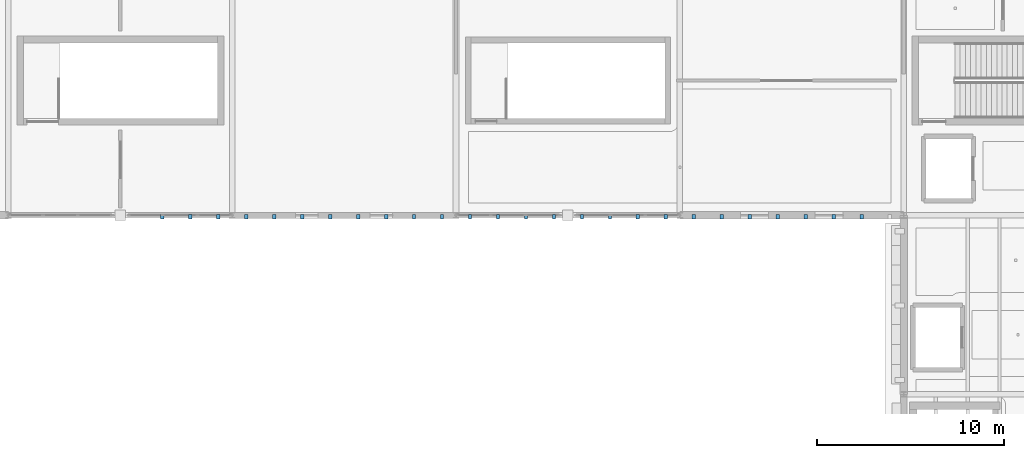
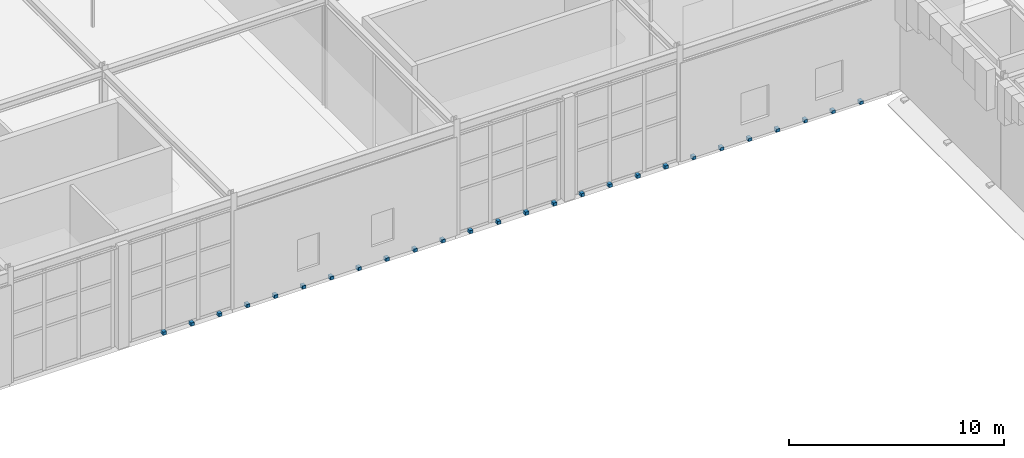
# One storey, part 50 of 62: 26 discrete accessories.
"""IFC4 building model written with IfcOpenShell, lengths in metres."""

import ifcopenshell
import ifcopenshell.guid

model = None  # the IFC model being written
_history = None  # IfcOwnerHistory: only IFC2X3 demands one
_inside = {}  # id of a spatial element -> (the spatial element, [elements in it])
_under = {}  # id of a project, library or spatial element -> (it, [spatial elements below it])
_declared = {}  # id of a project -> (the project, [libraries it declares])
_typed = {}  # id of a type object -> (the type object, [elements of that type])
_made_of = {}  # id of a material, layer set ... -> (it, [elements and type objects made of it])


def new_model(schema):
    """Start an empty IFC model of exactly this schema.

    Asked for "IFC4X3", IfcOpenShell would pick the latest addendum, in which some entities
    have other attributes; the version numbers below select the first issue.
    IFC2X3 requires an IfcOwnerHistory on every rooted entity: one is made here for all.
    """
    global model, _history
    if schema == "IFC4X3":
        model = ifcopenshell.file(schema_version=(4, 3, 0, 0))
    else:
        model = ifcopenshell.file(schema=schema)
    _inside.clear()
    _under.clear()
    _declared.clear()
    _typed.clear()
    _made_of.clear()
    _history = None
    if model.schema == "IFC2X3":
        org = make("IfcOrganization", Name="unknown")
        user = make(
            "IfcPersonAndOrganization",
            ThePerson=make("IfcPerson", FamilyName="unknown"),
            TheOrganization=org,
        )
        app = make(
            "IfcApplication",
            ApplicationDeveloper=org,
            Version="unknown",
            ApplicationFullName="unknown",
            ApplicationIdentifier="unknown",
        )
        _history = make(
            "IfcOwnerHistory",
            OwningUser=user,
            OwningApplication=app,
            ChangeAction="ADDED",
            CreationDate=0,
        )
    return model


def make(cls, **values):
    """One entity of the class cls with the attributes given. An attribute that is None is left unset."""
    return model.create_entity(
        cls, **{name: value for name, value in values.items() if value is not None}
    )


def rooted(cls, **values):
    """An entity with a GlobalId (a new one), such as an element, a storey or a relation."""
    return make(cls, GlobalId=ifcopenshell.guid.new(), OwnerHistory=_history, **values)


def si_unit(unit_type, name, prefix=None):
    """IfcSIUnit, for example si_unit("LENGTHUNIT", "METRE", prefix="MILLI")."""
    return make("IfcSIUnit", UnitType=unit_type, Prefix=prefix, Name=name)


def assignment(units):
    """IfcUnitAssignment: the units of a project."""
    return None if units is None else make("IfcUnitAssignment", Units=units)


def point(xyz):
    """IfcCartesianPoint."""
    return None if xyz is None else make("IfcCartesianPoint", Coordinates=xyz)


def direction(xyz):
    """IfcDirection."""
    return None if xyz is None else make("IfcDirection", DirectionRatios=xyz)


def frame(location, z_axis=None, x_axis=None):
    """IfcAxis2Placement3D, a coordinate frame: its origin and axes. An axis left out is left unset."""
    return make(
        "IfcAxis2Placement3D",
        Location=point(location),
        Axis=direction(z_axis),
        RefDirection=direction(x_axis),
    )


def frame_2d(location, x_axis=None):
    """IfcAxis2Placement2D, a coordinate frame in the plane: its origin and x axis."""
    return make(
        "IfcAxis2Placement2D", Location=point(location), RefDirection=direction(x_axis)
    )


def origin():
    """The frame at (0, 0, 0) with its axes left unset."""
    return frame((0.0, 0.0, 0.0))


def origin_2d():
    """The frame at (0, 0) in the plane with its x axis left unset."""
    return frame_2d((0.0, 0.0))


def place(relative_to, where):
    """IfcLocalPlacement: puts the frame where relative to a parent placement (None: the world)."""
    return make(
        "IfcLocalPlacement", PlacementRelTo=relative_to, RelativePlacement=where
    )


def context(
    kind, dimensions, precision=None, world=None, true_north=None, identifier=None
):
    """IfcGeometricRepresentationContext, for example the 3D "Model" context."""
    return make(
        "IfcGeometricRepresentationContext",
        ContextIdentifier=identifier,
        ContextType=kind,
        CoordinateSpaceDimension=dimensions,
        Precision=precision,
        WorldCoordinateSystem=world,
        TrueNorth=true_north,
    )


def subcontext(parent, identifier, kind, view, scale=None):
    """IfcGeometricRepresentationSubContext, for example "Body" below "Model"."""
    return make(
        "IfcGeometricRepresentationSubContext",
        ContextIdentifier=identifier,
        ContextType=kind,
        ParentContext=parent,
        TargetScale=scale,
        TargetView=view,
    )


def project(units=None, contexts=None):
    """IfcProject with its units and contexts."""
    return rooted(
        "IfcProject",
        Name="project",
        RepresentationContexts=contexts,
        UnitsInContext=assignment(units),
    )


def spatial(cls, under=None, at=None, **own):
    """A site, building, storey or space (cls), placed at a placement, below another one or the project."""
    s = rooted(cls, ObjectPlacement=at, **own)
    if under is not None:
        _under.setdefault(under.id(), (under, []))[1].append(s)
    return s


def profile(cls, at=None, kind="AREA", **sizes):
    """A parametric profile (cls). Its sizes go by their IFC names, for example OverallWidth=200.0."""
    return make(cls, ProfileType=kind, Position=at, **sizes)


def rectangle(**sizes):
    """IfcRectangleProfileDef."""
    return profile("IfcRectangleProfileDef", **sizes)


def extrude(swept, where, along, depth):
    """IfcExtrudedAreaSolid: the profile swept, set in the frame where, extruded along a direction by depth."""
    return make(
        "IfcExtrudedAreaSolid",
        SweptArea=swept,
        Position=where,
        ExtrudedDirection=direction(along),
        Depth=depth,
    )


def shape(context_of_items, identifier, shape_type, items):
    """IfcShapeRepresentation: the items that make up one representation, for example the "Body"."""
    return make(
        "IfcShapeRepresentation",
        ContextOfItems=context_of_items,
        RepresentationIdentifier=identifier,
        RepresentationType=shape_type,
        Items=items,
    )


def material(Name=None, Category=None):
    """IfcMaterial."""
    return make("IfcMaterial", Name=Name, Category=Category)


def made_of(thing, what):
    """Note that an element or type object is made of a material, layer set ...; save() writes the relation."""
    if what is not None:
        _made_of.setdefault(what.id(), (what, []))[1].append(thing)
    return thing


def type_object(cls, material=None, **own):
    """A type object (cls), such as IfcWallType, which elements share."""
    return made_of(rooted(cls, **own), material)


def element(
    cls,
    number,
    at=None,
    inside=None,
    cuts=None,
    type_object=None,
    material=None,
    context=None,
    identifier="Body",
    shape_type=None,
    held_by="IfcProductDefinitionShape",
    body=None,
    shapes=None,
    **own,
):
    """One element of the class cls, such as IfcWall. Its Tag is "e" and its number.

    at: its placement. inside: the storey or other place that contains it. cuts: it is an
    opening in that element (IfcRelVoidsElement). A single representation is given by context,
    identifier, shape_type and body (its items); several are given by shapes. held_by: the class
    of the entity that holds the representations. save() writes the other relations.
    """
    e = rooted(cls, Tag="e%d" % number, ObjectPlacement=at, **own)
    if body is not None:
        shapes = [shape(context, identifier, shape_type, body)]
    if shapes is not None:
        e.Representation = make(held_by, Representations=shapes)
    if inside is not None:
        _inside.setdefault(inside.id(), (inside, []))[1].append(e)
    if cuts is not None:
        rooted(
            "IfcRelVoidsElement", RelatingBuildingElement=cuts, RelatedOpeningElement=e
        )
    if type_object is not None:
        _typed.setdefault(type_object.id(), (type_object, []))[1].append(e)
    return made_of(e, material)


def aggregate(whole, parts):
    """IfcRelAggregates: a whole, such as a stair, and the parts it consists of."""
    return rooted("IfcRelAggregates", RelatingObject=whole, RelatedObjects=parts)


def save(model, path):
    """Write the relations noted so far, then the file.

    IfcRelAggregates (storeys below a building ...), IfcRelContainedInSpatialStructure (elements
    in a storey), IfcRelDefinesByType, IfcRelAssociatesMaterial and IfcRelDeclares: one each for
    every whole, place, type object, material and project.
    """
    for whole, parts in _under.values():
        aggregate(whole, parts)
    for where, things in _inside.values():
        rooted(
            "IfcRelContainedInSpatialStructure",
            RelatedElements=things,
            RelatingStructure=where,
        )
    for kind, things in _typed.values():
        rooted("IfcRelDefinesByType", RelatedObjects=things, RelatingType=kind)
    for what, things in _made_of.values():
        rooted("IfcRelAssociatesMaterial", RelatedObjects=things, RelatingMaterial=what)
    for by, libraries in _declared.values():
        rooted("IfcRelDeclares", RelatingContext=by, RelatedDefinitions=libraries)
    model.write(path)


model = new_model("IFC4")

# Units and contexts
model_context = context("Model", 3, precision=1e-05, world=origin(), true_north=direction((0.0, 1.0)))
body_context = subcontext(model_context, "Body", "Model", "MODEL_VIEW")
ifc_project = project(units=[si_unit("LENGTHUNIT", "METRE"), si_unit("AREAUNIT", "SQUARE_METRE"), si_unit("VOLUMEUNIT", "CUBIC_METRE"), si_unit("PLANEANGLEUNIT", "RADIAN"), si_unit("MASSUNIT", "GRAM", prefix="KILO")], contexts=[model_context])

# Site, building, storey
site_placement = place(None, origin())
site = spatial("IfcSite", under=ifc_project, at=site_placement, CompositionType="ELEMENT")
building_placement = place(site_placement, origin())
building = spatial("IfcBuilding", under=site, at=building_placement, Name="Zlatogorsky Bluff Art Gallery", CompositionType="ELEMENT")
storey_placement = place(building_placement, frame((0.0, 0.0, 16.800048828125)))
storey = spatial("IfcBuildingStorey", under=building, at=storey_placement, Name="L03", CompositionType="ELEMENT", Elevation=16.800048828125)

# Discrete accessories
ifc_material = material(Name="Steel S355", Category="steel")
discrete_accessory_type = type_object("IfcDiscreteAccessoryType", Name="Stainless Facade Fin Bracket BRK-01", PredefinedType="BRACKET", material=ifc_material)
for number, where, z_axis, x_axis, name in (
    (1, (80.25, 83.919921875, -0.1298828125), (0.0, 0.0, 1.0), (1.0, 0.0, 0.0), "Fin slab-edge bracket S.045.L03"),
    (2, (81.75, 83.919921875, -0.1298828125), (0.0, 0.0, 1.0), (1.0, 0.0, 0.0), "Fin slab-edge bracket S.046.L03"),
    (3, (83.25, 83.919921875, -0.1298828125), (0.0, 0.0, 1.0), (1.0, 0.0, 0.0), "Fin slab-edge bracket S.047.L03"),
    (4, (84.75, 83.919921875, -0.1298828125), (0.0, 0.0, 1.0), (1.0, 0.0, 0.0), "Fin slab-edge bracket S.048.L03"),
    (5, (86.25, 83.919921875, -0.1298828125), (0.0, 0.0, 1.0), (1.0, 0.0, 0.0), "Fin slab-edge bracket S.049.L03"),
    (6, (87.75, 83.919921875, -0.1298828125), (0.0, 0.0, 1.0), (1.0, 0.0, 0.0), "Fin slab-edge bracket S.050.L03"),
    (7, (89.25, 83.919921875, -0.1298828125), (0.0, 0.0, 1.0), (1.0, 0.0, 0.0), "Fin slab-edge bracket S.051.L03"),
    (8, (90.75, 83.919921875, -0.1298828125), (0.0, 0.0, 1.0), (1.0, 0.0, 0.0), "Fin slab-edge bracket S.052.L03"),
    (9, (92.25, 83.919921875, -0.1298828125), (0.0, 0.0, 1.0), (1.0, 0.0, 0.0), "Fin slab-edge bracket S.053.L03"),
    (10, (93.75, 83.919921875, -0.1298828125), (0.0, 0.0, 1.0), (1.0, 0.0, 0.0), "Fin slab-edge bracket S.054.L03"),
    (11, (95.25, 83.919921875, -0.1298828125), (0.0, 0.0, 1.0), (1.0, 0.0, 0.0), "Fin slab-edge bracket S.055.L03"),
    (12, (96.75, 83.919921875, -0.1298828125), (0.0, 0.0, 1.0), (1.0, 0.0, 0.0), "Fin slab-edge bracket S.056.L03"),
    (13, (98.25, 83.919921875, -0.1298828125), (0.0, 0.0, 1.0), (1.0, 0.0, 0.0), "Fin slab-edge bracket S.057.L03"),
    (14, (99.75, 83.919921875, -0.1298828125), (0.0, 0.0, 1.0), (1.0, 0.0, 0.0), "Fin slab-edge bracket S.058.L03"),
    (15, (101.25, 83.919921875, -0.1298828125), (0.0, 0.0, 1.0), (1.0, 0.0, 0.0), "Fin slab-edge bracket S.059.L03"),
    (16, (102.75, 83.919921875, -0.1298828125), (0.0, 0.0, 1.0), (1.0, 0.0, 0.0), "Fin slab-edge bracket S.060.L03"),
    (17, (104.25, 83.919921875, -0.1298828125), (0.0, 0.0, 1.0), (1.0, 0.0, 0.0), "Fin slab-edge bracket S.061.L03"),
    (18, (105.75, 83.919921875, -0.1298828125), (0.0, 0.0, 1.0), (1.0, 0.0, 0.0), "Fin slab-edge bracket S.062.L03"),
    (19, (107.25, 83.919921875, -0.1298828125), (0.0, 0.0, 1.0), (1.0, 0.0, 0.0), "Fin slab-edge bracket S.063.L03"),
    (20, (108.75, 83.919921875, -0.1298828125), (0.0, 0.0, 1.0), (1.0, 0.0, 0.0), "Fin slab-edge bracket S.064.L03"),
    (21, (110.25, 83.919921875, -0.1298828125), (0.0, 0.0, 1.0), (1.0, 0.0, 0.0), "Fin slab-edge bracket S.065.L03"),
    (22, (111.75, 83.919921875, -0.1298828125), (0.0, 0.0, 1.0), (1.0, 0.0, 0.0), "Fin slab-edge bracket S.066.L03"),
    (23, (113.25, 83.919921875, -0.1298828125), (0.0, 0.0, 1.0), (1.0, 0.0, 0.0), "Fin slab-edge bracket S.067.L03"),
    (24, (114.75, 83.919921875, -0.1298828125), (0.0, 0.0, 1.0), (1.0, 0.0, 0.0), "Fin slab-edge bracket S.068.L03"),
    (25, (116.25, 83.919921875, -0.1298828125), (0.0, 0.0, 1.0), (1.0, 0.0, 0.0), "Fin slab-edge bracket S.069.L03"),
    (26, (117.75, 83.919921875, -0.1298828125), (0.0, 0.0, 1.0), (1.0, 0.0, 0.0), "Fin slab-edge bracket S.070.L03"),
):
    element("IfcDiscreteAccessory", number, at=place(storey_placement, frame(where, z_axis=z_axis, x_axis=x_axis)), inside=storey, type_object=discrete_accessory_type, Name=name, PredefinedType="BRACKET", context=body_context, shape_type="SweptSolid", body=[
        extrude(rectangle(XDim=0.179931640625, YDim=0.239990234375, at=origin_2d()), origin(), (0.0, 0.0, 1.0), 0.179931640625),
    ])

save(model, "model.ifc")
